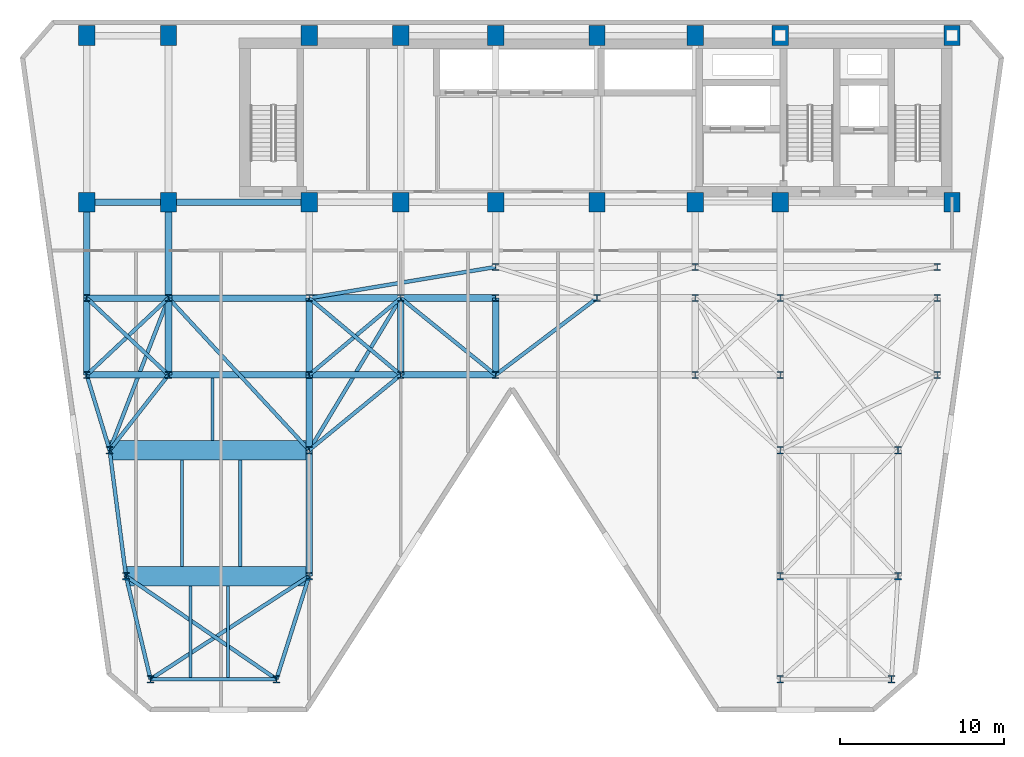
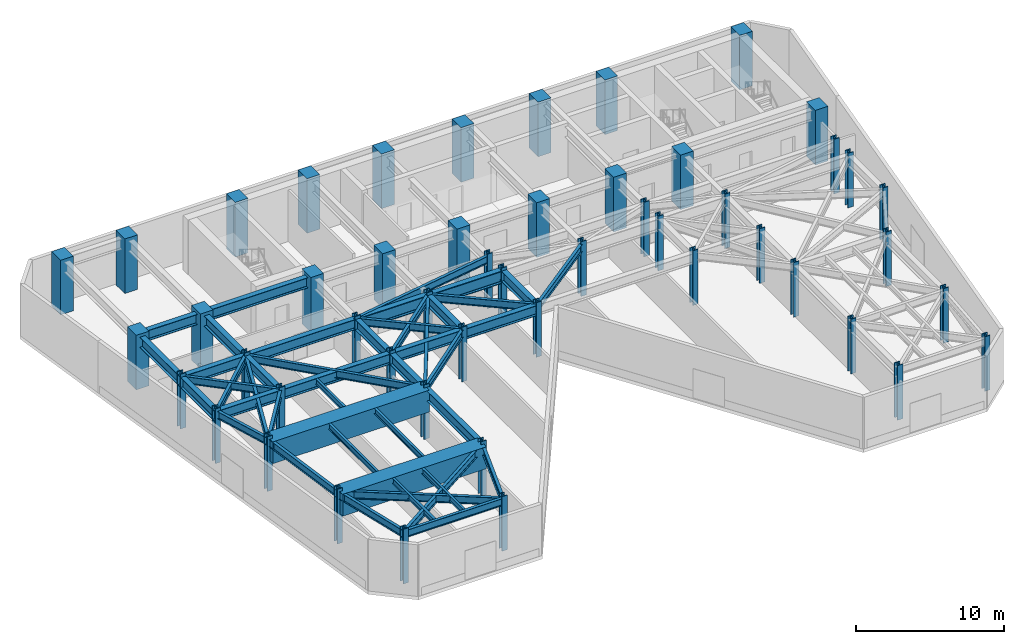
# One storey, part 1 of 8: 50 columns, 44 beams.
"""IFC4 building model written with IfcOpenShell, lengths in metres."""

from ifc_helpers import new_model, si_unit, direction, frame, origin, origin_2d, place, context, subcontext, project, spatial, rectangle, i_section, extrude, material, material_profile, profile_set, type_object, element, save


model = new_model("IFC4")

# Units and contexts
model_context = context("Model", 3, precision=1e-05, world=origin(), true_north=direction((0.0, 1.0)))
body_context = subcontext(model_context, "Body", "Model", "MODEL_VIEW")
ifc_project = project(units=[si_unit("LENGTHUNIT", "METRE"), si_unit("AREAUNIT", "SQUARE_METRE"), si_unit("VOLUMEUNIT", "CUBIC_METRE"), si_unit("PLANEANGLEUNIT", "RADIAN"), si_unit("MASSUNIT", "GRAM", prefix="KILO")], contexts=[model_context])

# Site, building, storey
site_placement = place(None, origin())
site = spatial("IfcSite", under=ifc_project, at=site_placement, CompositionType="ELEMENT")
building_placement = place(site_placement, origin())
building = spatial("IfcBuilding", under=site, at=building_placement, Name="Kravanh Interchange Tower", CompositionType="ELEMENT")
storey_placement = place(building_placement, frame((0.0, 0.0, 156.0)))
storey = spatial("IfcBuildingStorey", under=building, at=storey_placement, Name="L37", CompositionType="ELEMENT", Elevation=156.0)

# Columns
ifc_material_1 = material(Name="Concrete C70/85", Category="concrete")
ifc_material_profile_1 = material_profile(ifc_material_1, rectangle(XDim=1.0, YDim=1.199951171875, at=origin_2d()), Name="RC1000X1200")
ifc_profile_set_1 = profile_set([ifc_material_profile_1], Name="Concrete C70/85")
column_type_1 = type_object("IfcColumnType", Name="Column RC1000X1200 Concrete C70/85", PredefinedType="COLUMN", material=ifc_profile_set_1)
for number, where, z_axis, x_axis, name in (
    (1, (66.5, 47.550048828125, 0.0), (0.0, 0.0, 1.0), (1.0, 0.0, 0.0), "L37 Column CS01"),
    (2, (56.0, 47.550048828125, 0.0), (0.0, 0.0, 1.0), (1.0, 0.0, 0.0), "L37 Column CS02"),
    (3, (66.5, 37.35009765625, 0.0), (0.0, 0.0, 1.0), (1.0, 0.0, 0.0), "L37 Column CS03"),
    (4, (56.0, 37.35009765625, 0.0), (0.0, 0.0, 1.0), (1.0, 0.0, 0.0), "L37 Column CS04"),
    (5, (50.800048828125, 47.550048828125, 0.0), (0.0, 0.0, 1.0), (1.0, 0.0, 0.0), "L37 Column CS05"),
    (6, (50.800048828125, 37.35009765625, 0.0), (0.0, 0.0, 1.0), (1.0, 0.0, 0.0), "L37 Column CS06"),
    (7, (44.800048828125, 37.35009765625, 0.0), (0.0, 0.0, 1.0), (1.0, 0.0, 0.0), "L37 Column CS07"),
    (8, (44.800048828125, 47.550048828125, 0.0), (0.0, 0.0, 1.0), (1.0, 0.0, 0.0), "L37 Column CS08"),
    (9, (38.60009765625, 37.35009765625, 0.0), (0.0, 0.0, 1.0), (1.0, 0.0, 0.0), "L37 Column CS09"),
    (10, (38.60009765625, 47.550048828125, 0.0), (0.0, 0.0, 1.0), (1.0, 0.0, 0.0), "L37 Column CS10"),
    (11, (32.800048828125, 37.35009765625, 0.0), (0.0, 0.0, 1.0), (1.0, 0.0, 0.0), "L37 Column CS11"),
    (12, (32.800048828125, 47.550048828125, 0.0), (0.0, 0.0, 1.0), (1.0, 0.0, 0.0), "L37 Column CS12"),
    (13, (27.199951171875, 37.35009765625, 0.0), (0.0, 0.0, 1.0), (1.0, 0.0, 0.0), "L37 Column CS13"),
    (14, (27.199951171875, 47.550048828125, 0.0), (0.0, 0.0, 1.0), (1.0, 0.0, 0.0), "L37 Column CS14"),
    (15, (18.60009765625, 37.35009765625, 0.0), (0.0, 0.0, 1.0), (1.0, 0.0, 0.0), "L37 Column CS17"),
    (16, (18.60009765625, 47.550048828125, 0.0), (0.0, 0.0, 1.0), (1.0, 0.0, 0.0), "L37 Column CS18"),
    (17, (13.60009765625, 37.35009765625, 0.0), (0.0, 0.0, 1.0), (1.0, 0.0, 0.0), "L37 Column CS19"),
    (18, (13.60009765625, 47.550048828125, 0.0), (0.0, 0.0, 1.0), (1.0, 0.0, 0.0), "L37 Column CS20"),
):
    element("IfcColumn", number, at=place(storey_placement, frame(where, z_axis=z_axis, x_axis=x_axis)), inside=storey, type_object=column_type_1, Name=name, PredefinedType="COLUMN", context=body_context, shape_type="SweptSolid", body=[
        extrude(rectangle(XDim=1.0, YDim=1.199951171875, at=origin_2d()), origin(), (0.0, 0.0, 1.0), 4.5),
    ])
ifc_material_2 = material(Name="Structural Steel S355", Category="steel")
ifc_material_profile_2 = material_profile(ifc_material_2, i_section(OverallWidth=0.416015625, OverallDepth=0.446044921875, WebThickness=0.0390625, FlangeThickness=0.062744140625, FilletRadius=0.030029296875, at=origin_2d()), Name="W14X342")
ifc_profile_set_2 = profile_set([ifc_material_profile_2], Name="Structural Steel S355")
column_type_2 = type_object("IfcColumnType", Name="Column W14X342 Structural Steel S355", PredefinedType="COLUMN", material=ifc_profile_set_2)
for number, where, z_axis, x_axis, name in (
    (19, (17.5, 8.199951171875, 0.0), (0.0, 0.0, 1.0), (1.0, 0.0, 0.0), "L37 Column CZ2_1"),
    (20, (13.60009765625, 26.800048828125, 0.0), (0.0, 0.0, 1.0), (1.0, 0.0, 0.0), "L37 Column CZ2_11"),
    (21, (18.60009765625, 26.800048828125, 0.0), (0.0, 0.0, 1.0), (1.0, 0.0, 0.0), "L37 Column CZ2_12"),
    (22, (27.199951171875, 26.800048828125, 0.0), (0.0, 0.0, 1.0), (1.0, 0.0, 0.0), "L37 Column CZ2_13"),
    (23, (32.800048828125, 26.800048828125, 0.0), (0.0, 0.0, 1.0), (1.0, 0.0, 0.0), "L37 Column CZ2_14"),
    (24, (38.60009765625, 26.800048828125, 0.0), (0.0, 0.0, 1.0), (1.0, 0.0, 0.0), "L37 Column CZ2_14B"),
    (25, (50.800048828125, 26.800048828125, 0.0), (0.0, 0.0, 1.0), (1.0, 0.0, 0.0), "L37 Column CZ2_15"),
    (26, (56.0, 26.800048828125, 0.0), (0.0, 0.0, 1.0), (1.0, 0.0, 0.0), "L37 Column CZ2_16"),
    (27, (65.60009765625, 26.800048828125, 0.0), (0.0, 0.0, 1.0), (1.0, 0.0, 0.0), "L37 Column CZ2_17"),
    (28, (13.60009765625, 31.5, 0.0), (0.0, 0.0, 1.0), (1.0, 0.0, 0.0), "L37 Column CZ2_18"),
    (29, (18.60009765625, 31.5, 0.0), (0.0, 0.0, 1.0), (1.0, 0.0, 0.0), "L37 Column CZ2_18B"),
    (30, (27.199951171875, 31.5, 0.0), (0.0, 0.0, 1.0), (1.0, 0.0, 0.0), "L37 Column CZ2_19"),
    (31, (25.199951171875, 8.199951171875, 0.0), (0.0, 0.0, 1.0), (1.0, 0.0, 0.0), "L37 Column CZ2_2"),
    (32, (32.800048828125, 31.5, 0.0), (0.0, 0.0, 1.0), (1.0, 0.0, 0.0), "L37 Column CZ2_20"),
    (33, (38.60009765625, 31.5, 0.0), (0.0, 0.0, 1.0), (1.0, 0.0, 0.0), "L37 Column CZ2_21"),
    (34, (44.800048828125, 31.5, 0.0), (0.0, 0.0, 1.0), (1.0, 0.0, 0.0), "L37 Column CZ2_22"),
    (35, (50.800048828125, 31.5, 0.0), (0.0, 0.0, 1.0), (1.0, 0.0, 0.0), "L37 Column CZ2_23"),
    (36, (56.0, 31.5, 0.0), (0.0, 0.0, 1.0), (1.0, 0.0, 0.0), "L37 Column CZ2_24"),
    (37, (65.60009765625, 31.5, 0.0), (0.0, 0.0, 1.0), (1.0, 0.0, 0.0), "L37 Column CZ2_25"),
    (38, (56.0, 8.199951171875, 0.0), (0.0, 0.0, 1.0), (1.0, 0.0, 0.0), "L37 Column CZ2_3"),
    (39, (62.800048828125, 8.199951171875, 0.0), (0.0, 0.0, 1.0), (1.0, 0.0, 0.0), "L37 Column CZ2_4"),
    (40, (16.0, 14.5, 0.0), (0.0, 0.0, 1.0), (1.0, 0.0, 0.0), "L37 Column CZ2_5"),
    (41, (27.199951171875, 14.5, 0.0), (0.0, 0.0, 1.0), (1.0, 0.0, 0.0), "L37 Column CZ2_5B"),
    (42, (56.0, 14.5, 0.0), (0.0, 0.0, 1.0), (1.0, 0.0, 0.0), "L37 Column CZ2_5C"),
    (43, (63.199951171875, 14.5, 0.0), (0.0, 0.0, 1.0), (1.0, 0.0, 0.0), "L37 Column CZ2_5D"),
    (44, (15.0, 22.199951171875, 0.0), (0.0, 0.0, 1.0), (1.0, 0.0, 0.0), "L37 Column CZ2_6"),
    (45, (27.199951171875, 22.199951171875, 0.0), (0.0, 0.0, 1.0), (1.0, 0.0, 0.0), "L37 Column CZ2_7"),
    (46, (56.0, 22.199951171875, 0.0), (0.0, 0.0, 1.0), (1.0, 0.0, 0.0), "L37 Column CZ2_8"),
    (47, (63.199951171875, 22.199951171875, 0.0), (0.0, 0.0, 1.0), (1.0, 0.0, 0.0), "L37 Column CZ2_9"),
    (48, (38.60009765625, 33.39990234375, 0.0), (0.0, 0.0, 1.0), (1.0, 0.0, 0.0), "L37 Column CZ2_M1"),
    (49, (50.800048828125, 33.39990234375, 0.0), (0.0, 0.0, 1.0), (1.0, 0.0, 0.0), "L37 Column CZ2_M2"),
    (50, (65.60009765625, 33.39990234375, 0.0), (0.0, 0.0, 1.0), (1.0, 0.0, 0.0), "L37 Column CZ2_M3"),
):
    element("IfcColumn", number, at=place(storey_placement, frame(where, z_axis=z_axis, x_axis=x_axis)), inside=storey, type_object=column_type_2, Name=name, PredefinedType="COLUMN", context=body_context, shape_type="SweptSolid", body=[
        extrude(i_section(OverallWidth=0.416015625, OverallDepth=0.446044921875, WebThickness=0.0390625, FlangeThickness=0.062744140625, FilletRadius=0.030029296875, at=origin_2d()), origin(), (0.0, 0.0, 1.0), 4.5),
    ])

# Beams
ifc_material_3 = material(Name="Structural Steel S355", Category="steel")
ifc_material_profile_3 = material_profile(ifc_material_3, i_section(OverallWidth=0.39990234375, OverallDepth=0.85595703125, WebThickness=0.018310546875, FlangeThickness=0.029296875, FilletRadius=0.02490234375, at=origin_2d()), Name="W33X201")
ifc_profile_set_3 = profile_set([ifc_material_profile_3], Name="Structural Steel S355")
beam_type_1 = type_object("IfcBeamType", Name="Floor Beam W33X201 Structural Steel S355", PredefinedType="BEAM", material=ifc_profile_set_3)
beam_1_placement = place(storey_placement, frame((27.199951171875, 37.35009765625, 3.822021484375), z_axis=(-1.0, 0.0, 0.0), x_axis=(0.0, -1.0, 0.0)))
element("IfcBeam", 51, at=beam_1_placement, inside=storey, type_object=beam_type_1, Name="L37 Primary Floor Girder 25", PredefinedType="BEAM", context=body_context, shape_type="SweptSolid", body=[
    extrude(i_section(OverallWidth=0.39990234375, OverallDepth=0.85595703125, WebThickness=0.018310546875, FlangeThickness=0.029296875, FilletRadius=0.02490234375, at=origin_2d()), origin(), (0.0, 0.0, 1.0), 8.599853515625),
])
beam_2_placement = place(storey_placement, frame((18.60009765625, 37.35009765625, 3.822021484375), z_axis=(-1.0, 0.0, 0.0), x_axis=(0.0, -1.0, 0.0)))
element("IfcBeam", 52, at=beam_2_placement, inside=storey, type_object=beam_type_1, Name="L37 Primary Floor Girder 28", PredefinedType="BEAM", context=body_context, shape_type="SweptSolid", body=[
    extrude(i_section(OverallWidth=0.39990234375, OverallDepth=0.85595703125, WebThickness=0.018310546875, FlangeThickness=0.029296875, FilletRadius=0.02490234375, at=origin_2d()), origin(), (0.0, 0.0, 1.0), 5.0),
])
for number, where, z_axis, x_axis, name in (
    (53, (18.60009765625, 37.35009765625, 3.822021484375), (0.0, -1.0, 0.0), (1.0, 0.0, 0.0), "L37 Primary Floor Girder 29"),
    (54, (13.60009765625, 37.35009765625, 3.822021484375), (0.0, -1.0, 0.0), (1.0, 0.0, 0.0), "L37 Primary Floor Girder 32"),
):
    element("IfcBeam", number, at=place(storey_placement, frame(where, z_axis=z_axis, x_axis=x_axis)), inside=storey, type_object=beam_type_1, Name=name, PredefinedType="BEAM", context=body_context, shape_type="SweptSolid", body=[
        extrude(i_section(OverallWidth=0.39990234375, OverallDepth=0.85595703125, WebThickness=0.018310546875, FlangeThickness=0.029296875, FilletRadius=0.02490234375, at=origin_2d()), origin(), (0.0, 0.0, 1.0), 5.85009765625),
    ])
beam_3_placement = place(storey_placement, frame((13.60009765625, 26.800048828125, 3.822021484375), z_axis=(0.0, 1.0, 0.0), x_axis=(-1.0, 0.0, 0.0)))
element("IfcBeam", 55, at=beam_3_placement, inside=storey, type_object=beam_type_1, Name="L37 Primary Floor Girder 37", PredefinedType="BEAM", context=body_context, shape_type="SweptSolid", body=[
    extrude(i_section(OverallWidth=0.39990234375, OverallDepth=0.85595703125, WebThickness=0.018310546875, FlangeThickness=0.029296875, FilletRadius=0.02490234375, at=origin_2d()), origin(), (0.0, 0.0, 1.0), 4.699951171875),
])
beam_4_placement = place(storey_placement, frame((13.60009765625, 26.800048828125, 3.822021484375), z_axis=(1.0, 0.0, 0.0), x_axis=(0.0, 1.0, 0.0)))
element("IfcBeam", 56, at=beam_4_placement, inside=storey, type_object=beam_type_1, Name="L37 Primary Floor Girder 39", PredefinedType="BEAM", context=body_context, shape_type="SweptSolid", body=[
    extrude(i_section(OverallWidth=0.39990234375, OverallDepth=0.85595703125, WebThickness=0.018310546875, FlangeThickness=0.029296875, FilletRadius=0.02490234375, at=origin_2d()), origin(), (0.0, 0.0, 1.0), 5.0),
])
beam_5_placement = place(storey_placement, frame((18.60009765625, 26.800048828125, 3.822021484375), z_axis=(0.0, 1.0, 0.0), x_axis=(-1.0, 0.0, 0.0)))
element("IfcBeam", 57, at=beam_5_placement, inside=storey, type_object=beam_type_1, Name="L37 Primary Floor Girder 41", PredefinedType="BEAM", context=body_context, shape_type="SweptSolid", body=[
    extrude(i_section(OverallWidth=0.39990234375, OverallDepth=0.85595703125, WebThickness=0.018310546875, FlangeThickness=0.029296875, FilletRadius=0.02490234375, at=origin_2d()), origin(), (0.0, 0.0, 1.0), 4.699951171875),
])
beam_6_placement = place(storey_placement, frame((18.60009765625, 26.800048828125, 3.822021484375), z_axis=(1.0, 0.0, 0.0), x_axis=(0.0, 1.0, 0.0)))
element("IfcBeam", 58, at=beam_6_placement, inside=storey, type_object=beam_type_1, Name="L37 Primary Floor Girder 44", PredefinedType="BEAM", context=body_context, shape_type="SweptSolid", body=[
    extrude(i_section(OverallWidth=0.39990234375, OverallDepth=0.85595703125, WebThickness=0.018310546875, FlangeThickness=0.029296875, FilletRadius=0.02490234375, at=origin_2d()), origin(), (0.0, 0.0, 1.0), 8.599853515625),
])
beam_7_placement = place(storey_placement, frame((27.199951171875, 26.800048828125, 3.822021484375), z_axis=(0.0, -1.0, 0.0), x_axis=(1.0, 0.0, 0.0)))
element("IfcBeam", 59, at=beam_7_placement, inside=storey, type_object=beam_type_1, Name="L37 Primary Floor Girder 45", PredefinedType="BEAM", context=body_context, shape_type="SweptSolid", body=[
    extrude(i_section(OverallWidth=0.39990234375, OverallDepth=0.85595703125, WebThickness=0.018310546875, FlangeThickness=0.029296875, FilletRadius=0.02490234375, at=origin_2d()), origin(), (0.0, 0.0, 1.0), 4.60009765625),
])
beam_8_placement = place(storey_placement, frame((27.199951171875, 26.800048828125, 3.822021484375), z_axis=(0.0, 1.0, 0.0), x_axis=(-1.0, 0.0, 0.0)))
element("IfcBeam", 60, at=beam_8_placement, inside=storey, type_object=beam_type_1, Name="L37 Primary Floor Girder 46", PredefinedType="BEAM", context=body_context, shape_type="SweptSolid", body=[
    extrude(i_section(OverallWidth=0.39990234375, OverallDepth=0.85595703125, WebThickness=0.018310546875, FlangeThickness=0.029296875, FilletRadius=0.02490234375, at=origin_2d()), origin(), (0.0, 0.0, 1.0), 4.699951171875),
])
beam_9_placement = place(storey_placement, frame((27.199951171875, 26.800048828125, 3.822021484375), z_axis=(1.0, 0.0, 0.0), x_axis=(0.0, 1.0, 0.0)))
element("IfcBeam", 61, at=beam_9_placement, inside=storey, type_object=beam_type_1, Name="L37 Primary Floor Girder 47", PredefinedType="BEAM", context=body_context, shape_type="SweptSolid", body=[
    extrude(i_section(OverallWidth=0.39990234375, OverallDepth=0.85595703125, WebThickness=0.018310546875, FlangeThickness=0.029296875, FilletRadius=0.02490234375, at=origin_2d()), origin(), (0.0, 0.0, 1.0), 5.60009765625),
])
beam_10_placement = place(storey_placement, frame((32.800048828125, 26.800048828125, 3.822021484375), z_axis=(0.0, 1.0, 0.0), x_axis=(-1.0, 0.0, 0.0)))
element("IfcBeam", 62, at=beam_10_placement, inside=storey, type_object=beam_type_1, Name="L37 Primary Floor Girder 49", PredefinedType="BEAM", context=body_context, shape_type="SweptSolid", body=[
    extrude(i_section(OverallWidth=0.39990234375, OverallDepth=0.85595703125, WebThickness=0.018310546875, FlangeThickness=0.029296875, FilletRadius=0.02490234375, at=origin_2d()), origin(), (0.0, 0.0, 1.0), 4.699951171875),
])
beam_11_placement = place(storey_placement, frame((32.800048828125, 26.800048828125, 3.822021484375), z_axis=(1.0, 0.0, 0.0), x_axis=(0.0, 1.0, 0.0)))
element("IfcBeam", 63, at=beam_11_placement, inside=storey, type_object=beam_type_1, Name="L37 Primary Floor Girder 50", PredefinedType="BEAM", context=body_context, shape_type="SweptSolid", body=[
    extrude(i_section(OverallWidth=0.39990234375, OverallDepth=0.85595703125, WebThickness=0.018310546875, FlangeThickness=0.029296875, FilletRadius=0.02490234375, at=origin_2d()), origin(), (0.0, 0.0, 1.0), 5.800048828125),
])
beam_12_placement = place(storey_placement, frame((38.60009765625, 26.800048828125, 3.822021484375), z_axis=(0.0, 1.0, 0.0), x_axis=(-1.0, 0.0, 0.0)))
element("IfcBeam", 64, at=beam_12_placement, inside=storey, type_object=beam_type_1, Name="L37 Primary Floor Girder 53", PredefinedType="BEAM", context=body_context, shape_type="SweptSolid", body=[
    extrude(i_section(OverallWidth=0.39990234375, OverallDepth=0.85595703125, WebThickness=0.018310546875, FlangeThickness=0.029296875, FilletRadius=0.02490234375, at=origin_2d()), origin(), (0.0, 0.0, 1.0), 4.699951171875),
])
beam_13_placement = place(storey_placement, frame((13.60009765625, 31.5, 3.822021484375), z_axis=(1.0, 0.0, 0.0), x_axis=(0.0, 1.0, 0.0)))
element("IfcBeam", 65, at=beam_13_placement, inside=storey, type_object=beam_type_1, Name="L37 Primary Floor Girder 69", PredefinedType="BEAM", context=body_context, shape_type="SweptSolid", body=[
    extrude(i_section(OverallWidth=0.39990234375, OverallDepth=0.85595703125, WebThickness=0.018310546875, FlangeThickness=0.029296875, FilletRadius=0.02490234375, at=origin_2d()), origin(), (0.0, 0.0, 1.0), 5.0),
])
beam_14_placement = place(storey_placement, frame((18.60009765625, 31.5, 3.822021484375), z_axis=(1.0, 0.0, 0.0), x_axis=(0.0, 1.0, 0.0)))
element("IfcBeam", 66, at=beam_14_placement, inside=storey, type_object=beam_type_1, Name="L37 Primary Floor Girder 71", PredefinedType="BEAM", context=body_context, shape_type="SweptSolid", body=[
    extrude(i_section(OverallWidth=0.39990234375, OverallDepth=0.85595703125, WebThickness=0.018310546875, FlangeThickness=0.029296875, FilletRadius=0.02490234375, at=origin_2d()), origin(), (0.0, 0.0, 1.0), 8.599853515625),
])
beam_15_placement = place(storey_placement, frame((27.199951171875, 14.5, 3.822021484375), z_axis=(0.0, 1.0, 0.0), x_axis=(-1.0, 0.0, 0.0)))
element("IfcBeam", 67, at=beam_15_placement, inside=storey, type_object=beam_type_1, Name="L37 Primary Floor Girder 102", PredefinedType="BEAM", context=body_context, shape_type="SweptSolid", body=[
    extrude(i_section(OverallWidth=0.39990234375, OverallDepth=0.85595703125, WebThickness=0.018310546875, FlangeThickness=0.029296875, FilletRadius=0.02490234375, at=origin_2d()), origin(), (0.0, 0.0, 1.0), 7.699951171875),
])
ifc_material_4 = material(Name="Structural Steel S355", Category="steel")
ifc_material_profile_4 = material_profile(ifc_material_4, i_section(OverallWidth=0.18994140625, OverallDepth=0.45703125, WebThickness=0.009033203125, FlangeThickness=0.014404296875, FilletRadius=0.01806640625, at=origin_2d()), Name="W18X50")
ifc_profile_set_4 = profile_set([ifc_material_profile_4], Name="Structural Steel S355")
beam_type_2 = type_object("IfcBeamType", Name="Floor Joist W18X50 Structural Steel S355", PredefinedType="JOIST", material=ifc_profile_set_4)
for number, where, z_axis, x_axis, name in (
    (68, (19.94189453125, 8.30908203125, 4.021484375), (0.0, 1.0, 0.0), (-1.0, 0.0, 0.0), "L37 Secondary Floor Joist 1"),
    (69, (22.24609375, 8.30908203125, 4.021484375), (0.0, 1.0, 0.0), (-1.0, 0.0, 0.0), "L37 Secondary Floor Joist 2"),
):
    element("IfcBeam", number, at=place(storey_placement, frame(where, z_axis=z_axis, x_axis=x_axis)), inside=storey, type_object=beam_type_2, Name=name, PredefinedType="JOIST", context=body_context, shape_type="SweptSolid", body=[
        extrude(i_section(OverallWidth=0.18994140625, OverallDepth=0.45703125, WebThickness=0.009033203125, FlangeThickness=0.014404296875, FilletRadius=0.01806640625, at=origin_2d()), origin(), (0.0, 0.0, 1.0), 5.595947265625),
    ])
for number, where, z_axis, x_axis, name in (
    (70, (19.422119140625, 15.094970703125, 4.021484375), (0.0, 1.0, 0.0), (-1.0, 0.0, 0.0), "L37 Secondary Floor Joist 5"),
    (71, (22.986083984375, 15.094970703125, 4.021484375), (0.0, 1.0, 0.0), (-1.0, 0.0, 0.0), "L37 Secondary Floor Joist 6"),
):
    element("IfcBeam", number, at=place(storey_placement, frame(where, z_axis=z_axis, x_axis=x_axis)), inside=storey, type_object=beam_type_2, Name=name, PredefinedType="JOIST", context=body_context, shape_type="SweptSolid", body=[
        extrude(i_section(OverallWidth=0.18994140625, OverallDepth=0.45703125, WebThickness=0.009033203125, FlangeThickness=0.014404296875, FilletRadius=0.01806640625, at=origin_2d()), origin(), (0.0, 0.0, 1.0), 6.510009765625),
    ])
beam_16_placement = place(storey_placement, frame((21.2939453125, 22.794921875, 4.021484375), z_axis=(0.0, 1.0, 0.0), x_axis=(-1.0, 0.0, 0.0)))
element("IfcBeam", 72, at=beam_16_placement, inside=storey, type_object=beam_type_2, Name="L37 Secondary Floor Joist 11", PredefinedType="JOIST", context=body_context, shape_type="SweptSolid", body=[
    extrude(i_section(OverallWidth=0.18994140625, OverallDepth=0.45703125, WebThickness=0.009033203125, FlangeThickness=0.014404296875, FilletRadius=0.01806640625, at=origin_2d()), origin(), (0.0, 0.0, 1.0), 3.81005859375),
])
ifc_material_5 = material(Name="Structural Steel S355", Category="steel")
ifc_material_profile_5 = material_profile(ifc_material_5, i_section(OverallWidth=0.22802734375, OverallDepth=0.60791015625, WebThickness=0.01123046875, FlangeThickness=0.017333984375, FilletRadius=0.02197265625, at=origin_2d()), Name="W24X76")
ifc_profile_set_5 = profile_set([ifc_material_profile_5], Name="Structural Steel S355")
beam_type_3 = type_object("IfcBeamType", Name="Floor Spandrel W24X76 Structural Steel S355", PredefinedType="SPANDREL", material=ifc_profile_set_5)
beam_17_placement = place(storey_placement, frame((17.5, 8.199951171875, 3.946044921875), z_axis=(-0.231618828452, 0.972806619173, 0.0), x_axis=(-0.972806619173, -0.231618828452, 0.0)))
element("IfcBeam", 73, at=beam_17_placement, inside=storey, type_object=beam_type_3, Name="L37 Perimeter Spandrel 34", PredefinedType="SPANDREL", context=body_context, shape_type="SweptSolid", body=[
    extrude(i_section(OverallWidth=0.22802734375, OverallDepth=0.60791015625, WebThickness=0.01123046875, FlangeThickness=0.017333984375, FilletRadius=0.02197265625, at=origin_2d()), origin(), (0.0, 0.0, 1.0), 6.47607421875),
])
beam_18_placement = place(storey_placement, frame((17.5, 8.199951171875, 3.946044921875), z_axis=(1.0, 0.0, 0.0), x_axis=(0.0, 1.0, 0.0)))
element("IfcBeam", 74, at=beam_18_placement, inside=storey, type_object=beam_type_3, Name="L37 Perimeter Spandrel 35", PredefinedType="SPANDREL", context=body_context, shape_type="SweptSolid", body=[
    extrude(i_section(OverallWidth=0.22802734375, OverallDepth=0.60791015625, WebThickness=0.01123046875, FlangeThickness=0.017333984375, FilletRadius=0.02197265625, at=origin_2d()), origin(), (0.0, 0.0, 1.0), 7.699951171875),
])
beam_19_placement = place(storey_placement, frame((17.5, 8.199951171875, 3.946044921875), z_axis=(0.838637911458, 0.544689318295, 0.0), x_axis=(-0.544689318295, 0.838637911458, 0.0)))
element("IfcBeam", 75, at=beam_19_placement, inside=storey, type_object=beam_type_3, Name="L37 Perimeter Spandrel 36", PredefinedType="SPANDREL", context=body_context, shape_type="SweptSolid", body=[
    extrude(i_section(OverallWidth=0.22802734375, OverallDepth=0.60791015625, WebThickness=0.01123046875, FlangeThickness=0.017333984375, FilletRadius=0.02197265625, at=origin_2d()), origin(), (0.0, 0.0, 1.0), 11.56640625),
])
beam_20_placement = place(storey_placement, frame((13.60009765625, 26.800048828125, 3.946044921875), z_axis=(0.291137370727, -0.956681259023, 0.0), x_axis=(0.956681259023, 0.291137370727, 0.0)))
element("IfcBeam", 76, at=beam_20_placement, inside=storey, type_object=beam_type_3, Name="L37 Perimeter Spandrel 38", PredefinedType="SPANDREL", context=body_context, shape_type="SweptSolid", body=[
    extrude(i_section(OverallWidth=0.22802734375, OverallDepth=0.60791015625, WebThickness=0.01123046875, FlangeThickness=0.017333984375, FilletRadius=0.02197265625, at=origin_2d()), origin(), (0.0, 0.0, 1.0), 4.808349609375),
])
beam_21_placement = place(storey_placement, frame((13.60009765625, 26.800048828125, 3.946044921875), z_axis=(0.728631219862, 0.684906231131, 0.0), x_axis=(-0.684906231131, 0.728631219862, 0.0)))
element("IfcBeam", 77, at=beam_21_placement, inside=storey, type_object=beam_type_3, Name="L37 Perimeter Spandrel 40", PredefinedType="SPANDREL", context=body_context, shape_type="SweptSolid", body=[
    extrude(i_section(OverallWidth=0.22802734375, OverallDepth=0.60791015625, WebThickness=0.01123046875, FlangeThickness=0.017333984375, FilletRadius=0.02197265625, at=origin_2d()), origin(), (0.0, 0.0, 1.0), 6.862060546875),
])
beam_22_placement = place(storey_placement, frame((18.60009765625, 26.800048828125, 3.946044921875), z_axis=(-0.616310515553, -0.787503237085, 0.0), x_axis=(0.787503237085, -0.616310515553, 0.0)))
element("IfcBeam", 78, at=beam_22_placement, inside=storey, type_object=beam_type_3, Name="L37 Perimeter Spandrel 42", PredefinedType="SPANDREL", context=body_context, shape_type="SweptSolid", body=[
    extrude(i_section(OverallWidth=0.22802734375, OverallDepth=0.60791015625, WebThickness=0.01123046875, FlangeThickness=0.017333984375, FilletRadius=0.02197265625, at=origin_2d()), origin(), (0.0, 0.0, 1.0), 5.84130859375),
])
beam_23_placement = place(storey_placement, frame((18.60009765625, 26.800048828125, 3.946044921875), z_axis=(-0.728631219862, 0.684906231131, 0.0), x_axis=(-0.684906231131, -0.728631219862, 0.0)))
element("IfcBeam", 79, at=beam_23_placement, inside=storey, type_object=beam_type_3, Name="L37 Perimeter Spandrel 43", PredefinedType="SPANDREL", context=body_context, shape_type="SweptSolid", body=[
    extrude(i_section(OverallWidth=0.22802734375, OverallDepth=0.60791015625, WebThickness=0.01123046875, FlangeThickness=0.017333984375, FilletRadius=0.02197265625, at=origin_2d()), origin(), (0.0, 0.0, 1.0), 6.862060546875),
])
beam_24_placement = place(storey_placement, frame((27.199951171875, 26.800048828125, 3.946044921875), z_axis=(0.765983062929, 0.642860752657, 0.0), x_axis=(-0.642860752657, 0.765983062929, 0.0)))
element("IfcBeam", 80, at=beam_24_placement, inside=storey, type_object=beam_type_3, Name="L37 Perimeter Spandrel 48", PredefinedType="SPANDREL", context=body_context, shape_type="SweptSolid", body=[
    extrude(i_section(OverallWidth=0.22802734375, OverallDepth=0.60791015625, WebThickness=0.01123046875, FlangeThickness=0.017333984375, FilletRadius=0.02197265625, at=origin_2d()), origin(), (0.0, 0.0, 1.0), 7.31103515625),
])
beam_25_placement = place(storey_placement, frame((32.800048828125, 26.800048828125, 3.946044921875), z_axis=(-0.772725074305, -0.634740860147, 0.0), x_axis=(0.634740860147, -0.772725074305, 0.0)))
element("IfcBeam", 81, at=beam_25_placement, inside=storey, type_object=beam_type_3, Name="L37 Perimeter Spandrel 51", PredefinedType="SPANDREL", context=body_context, shape_type="SweptSolid", body=[
    extrude(i_section(OverallWidth=0.22802734375, OverallDepth=0.60791015625, WebThickness=0.01123046875, FlangeThickness=0.017333984375, FilletRadius=0.02197265625, at=origin_2d()), origin(), (0.0, 0.0, 1.0), 7.247314453125),
])
beam_26_placement = place(storey_placement, frame((32.800048828125, 26.800048828125, 3.946044921875), z_axis=(-0.765983062929, 0.642860752657, 0.0), x_axis=(-0.642860752657, -0.765983062929, 0.0)))
element("IfcBeam", 82, at=beam_26_placement, inside=storey, type_object=beam_type_3, Name="L37 Perimeter Spandrel 52", PredefinedType="SPANDREL", context=body_context, shape_type="SweptSolid", body=[
    extrude(i_section(OverallWidth=0.22802734375, OverallDepth=0.60791015625, WebThickness=0.01123046875, FlangeThickness=0.017333984375, FilletRadius=0.02197265625, at=origin_2d()), origin(), (0.0, 0.0, 1.0), 7.31103515625),
])
beam_27_placement = place(storey_placement, frame((38.60009765625, 26.800048828125, 3.946044921875), z_axis=(-0.776938619557, 0.629576350764, 0.0), x_axis=(-0.629576350764, -0.776938619557, 0.0)))
element("IfcBeam", 83, at=beam_27_placement, inside=storey, type_object=beam_type_3, Name="L37 Perimeter Spandrel 54", PredefinedType="SPANDREL", context=body_context, shape_type="SweptSolid", body=[
    extrude(i_section(OverallWidth=0.22802734375, OverallDepth=0.60791015625, WebThickness=0.01123046875, FlangeThickness=0.017333984375, FilletRadius=0.02197265625, at=origin_2d()), origin(), (0.0, 0.0, 1.0), 7.46533203125),
])
beam_28_placement = place(storey_placement, frame((38.60009765625, 26.800048828125, 3.946044921875), z_axis=(0.796905365509, 0.604104161898, 0.0), x_axis=(-0.604104161898, 0.796905365509, 0.0)))
element("IfcBeam", 84, at=beam_28_placement, inside=storey, type_object=beam_type_3, Name="L37 Perimeter Spandrel 55", PredefinedType="SPANDREL", context=body_context, shape_type="SweptSolid", body=[
    extrude(i_section(OverallWidth=0.22802734375, OverallDepth=0.60791015625, WebThickness=0.01123046875, FlangeThickness=0.017333984375, FilletRadius=0.02197265625, at=origin_2d()), origin(), (0.0, 0.0, 1.0), 7.780029296875),
])
beam_29_placement = place(storey_placement, frame((18.60009765625, 31.5, 3.946044921875), z_axis=(-0.3610009706, -0.932565439648, 0.0), x_axis=(0.932565439648, -0.3610009706, 0.0)))
element("IfcBeam", 85, at=beam_29_placement, inside=storey, type_object=beam_type_3, Name="L37 Perimeter Spandrel 72", PredefinedType="SPANDREL", context=body_context, shape_type="SweptSolid", body=[
    extrude(i_section(OverallWidth=0.22802734375, OverallDepth=0.60791015625, WebThickness=0.01123046875, FlangeThickness=0.017333984375, FilletRadius=0.02197265625, at=origin_2d()), origin(), (0.0, 0.0, 1.0), 9.97265625),
])
beam_30_placement = place(storey_placement, frame((18.60009765625, 31.5, 3.946044921875), z_axis=(0.678927458783, -0.734205356634, 0.0), x_axis=(0.734205356634, 0.678927458783, 0.0)))
element("IfcBeam", 86, at=beam_30_placement, inside=storey, type_object=beam_type_3, Name="L37 Perimeter Spandrel 73", PredefinedType="SPANDREL", context=body_context, shape_type="SweptSolid", body=[
    extrude(i_section(OverallWidth=0.22802734375, OverallDepth=0.60791015625, WebThickness=0.01123046875, FlangeThickness=0.017333984375, FilletRadius=0.02197265625, at=origin_2d()), origin(), (0.0, 0.0, 1.0), 12.666748046875),
])
beam_31_placement = place(storey_placement, frame((27.199951171875, 31.5, 3.946044921875), z_axis=(0.986395636554, 0.164388710647, 0.0), x_axis=(-0.164388710647, 0.986395636554, 0.0)))
element("IfcBeam", 87, at=beam_31_placement, inside=storey, type_object=beam_type_3, Name="L37 Perimeter Spandrel 75", PredefinedType="SPANDREL", context=body_context, shape_type="SweptSolid", body=[
    extrude(i_section(OverallWidth=0.22802734375, OverallDepth=0.60791015625, WebThickness=0.01123046875, FlangeThickness=0.017333984375, FilletRadius=0.02197265625, at=origin_2d()), origin(), (0.0, 0.0, 1.0), 11.557373046875),
])
beam_32_placement = place(storey_placement, frame((25.199951171875, 8.199951171875, 3.946044921875), z_axis=(0.30257700201, 0.953124943465, 0.0), x_axis=(-0.953124943465, 0.30257700201, 0.0)))
element("IfcBeam", 88, at=beam_32_placement, inside=storey, type_object=beam_type_3, Name="L37 Perimeter Spandrel 76", PredefinedType="SPANDREL", context=body_context, shape_type="SweptSolid", body=[
    extrude(i_section(OverallWidth=0.22802734375, OverallDepth=0.60791015625, WebThickness=0.01123046875, FlangeThickness=0.017333984375, FilletRadius=0.02197265625, at=origin_2d()), origin(), (0.0, 0.0, 1.0), 6.60986328125),
])
beam_33_placement = place(storey_placement, frame((25.199951171875, 8.199951171875, 3.946044921875), z_axis=(-0.825083781107, 0.565010401811, 0.0), x_axis=(-0.565010401811, -0.825083781107, 0.0)))
element("IfcBeam", 89, at=beam_33_placement, inside=storey, type_object=beam_type_3, Name="L37 Perimeter Spandrel 77", PredefinedType="SPANDREL", context=body_context, shape_type="SweptSolid", body=[
    extrude(i_section(OverallWidth=0.22802734375, OverallDepth=0.60791015625, WebThickness=0.01123046875, FlangeThickness=0.017333984375, FilletRadius=0.02197265625, at=origin_2d()), origin(), (0.0, 0.0, 1.0), 11.150390625),
])
beam_34_placement = place(storey_placement, frame((32.800048828125, 31.5, 3.946044921875), z_axis=(-0.515854375109, -0.856676288735, 0.0), x_axis=(0.856676288735, -0.515854375109, 0.0)))
element("IfcBeam", 90, at=beam_34_placement, inside=storey, type_object=beam_type_3, Name="L37 Perimeter Spandrel 80", PredefinedType="SPANDREL", context=body_context, shape_type="SweptSolid", body=[
    extrude(i_section(OverallWidth=0.22802734375, OverallDepth=0.60791015625, WebThickness=0.01123046875, FlangeThickness=0.017333984375, FilletRadius=0.02197265625, at=origin_2d()), origin(), (0.0, 0.0, 1.0), 10.85595703125),
])
beam_35_placement = place(storey_placement, frame((16.0, 14.5, 3.946044921875), z_axis=(-0.128789384125, 0.99167196922, 0.0), x_axis=(-0.99167196922, -0.128789384125, 0.0)))
element("IfcBeam", 91, at=beam_35_placement, inside=storey, type_object=beam_type_3, Name="L37 Perimeter Spandrel 100", PredefinedType="SPANDREL", context=body_context, shape_type="SweptSolid", body=[
    extrude(i_section(OverallWidth=0.22802734375, OverallDepth=0.60791015625, WebThickness=0.01123046875, FlangeThickness=0.017333984375, FilletRadius=0.02197265625, at=origin_2d()), origin(), (0.0, 0.0, 1.0), 7.7646484375),
])
ifc_material_6 = material(Name="Concrete C70/85", Category="concrete")
ifc_material_profile_6 = material_profile(ifc_material_6, rectangle(XDim=1.199951171875, YDim=1.800048828125, at=origin_2d()), Name="TG1200X1800")
ifc_profile_set_6 = profile_set([ifc_material_profile_6], Name="Concrete C70/85")
beam_type_4 = type_object("IfcBeamType", Name="Transfer Girder TG1200X1800 Concrete C70/85", PredefinedType="BEAM", material=ifc_profile_set_6)
beam_36_placement = place(storey_placement, frame((16.0, 14.5, 3.35009765625), z_axis=(1.0, 0.0, 0.0), x_axis=(0.0, 1.0, 0.0)))
element("IfcBeam", 92, at=beam_36_placement, inside=storey, type_object=beam_type_4, Name="L37 TRANSFER GIRDER TG-1", PredefinedType="BEAM", context=body_context, shape_type="SweptSolid", body=[
    extrude(rectangle(XDim=1.199951171875, YDim=1.800048828125, at=origin_2d()), origin(), (0.0, 0.0, 1.0), 11.199951171875),
])
beam_37_placement = place(storey_placement, frame((15.0, 22.199951171875, 3.35009765625), z_axis=(1.0, 0.0, 0.0), x_axis=(0.0, 1.0, 0.0)))
element("IfcBeam", 93, at=beam_37_placement, inside=storey, type_object=beam_type_4, Name="L37 TRANSFER GIRDER TG-2", PredefinedType="BEAM", context=body_context, shape_type="SweptSolid", body=[
    extrude(rectangle(XDim=1.199951171875, YDim=1.800048828125, at=origin_2d()), origin(), (0.0, 0.0, 1.0), 12.199951171875),
])
ifc_material_7 = material(Name="Structural Steel S450", Category="steel")
ifc_material_profile_7 = material_profile(ifc_material_7, i_section(OverallWidth=0.4189453125, OverallDepth=1.041015625, WebThickness=0.031005859375, FlangeThickness=0.055908203125, FilletRadius=0.030029296875, at=origin_2d()), Name="W40X397")
ifc_profile_set_7 = profile_set([ifc_material_profile_7], Name="Structural Steel S450")
beam_type_5 = type_object("IfcBeamType", Name="Transfer Girder W40X397 Structural Steel S450", PredefinedType="BEAM", material=ifc_profile_set_7)
beam_38_placement = place(storey_placement, frame((27.199951171875, 31.5, 3.7294921875), z_axis=(1.0, 0.0, 0.0), x_axis=(0.0, 1.0, 0.0)))
element("IfcBeam", 94, at=beam_38_placement, inside=storey, type_object=beam_type_5, Name="L37 STEEL TRANSFER GIRDER 1", PredefinedType="BEAM", context=body_context, shape_type="SweptSolid", body=[
    extrude(i_section(OverallWidth=0.4189453125, OverallDepth=1.041015625, WebThickness=0.031005859375, FlangeThickness=0.055908203125, FilletRadius=0.030029296875, at=origin_2d()), origin(), (0.0, 0.0, 1.0), 11.400146484375),
])

save(model, "model.ifc")
